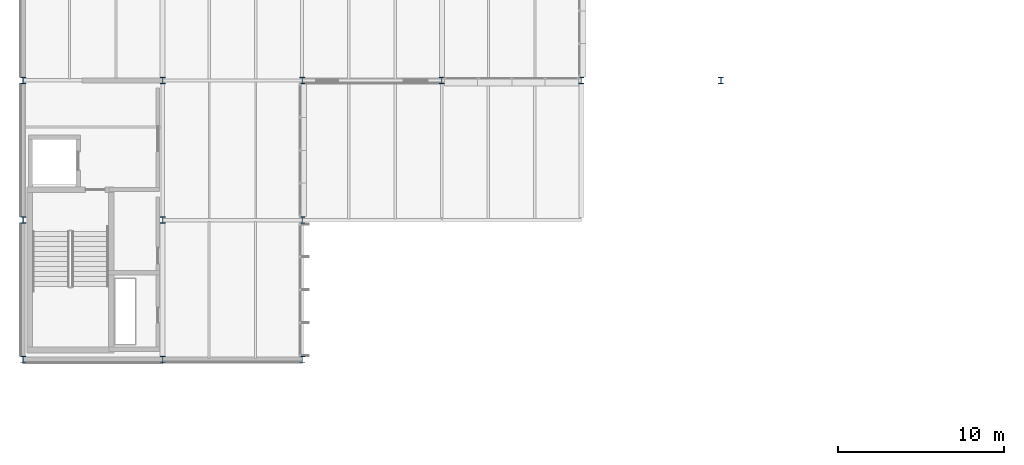
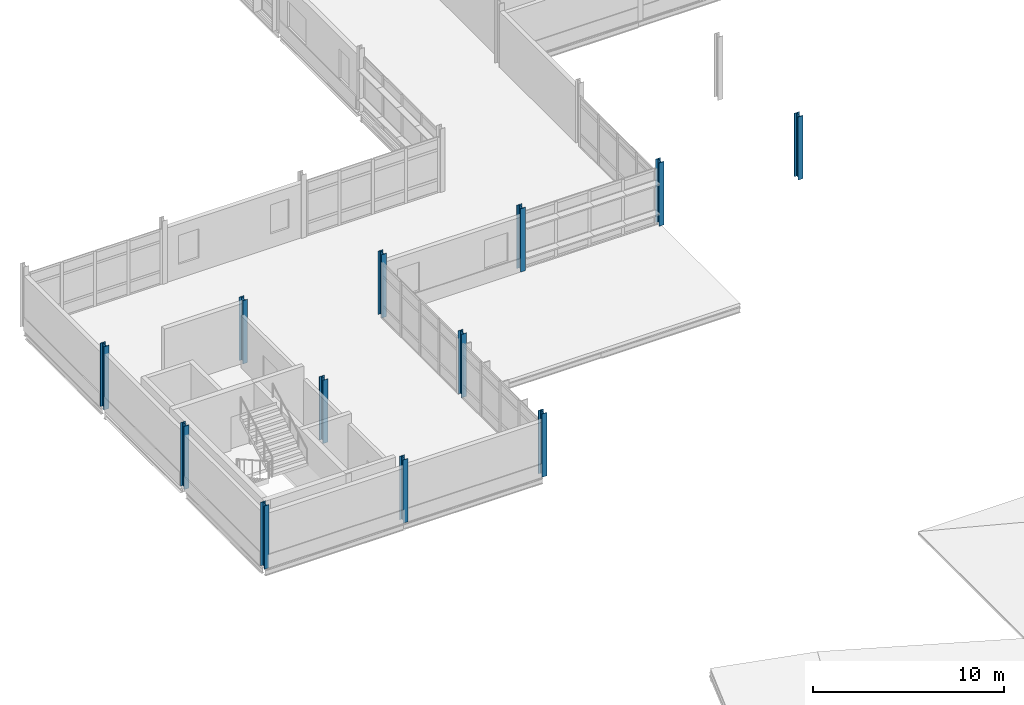
# One storey, part 5 of 151: 12 columns.
"""IFC4 building model written with IfcOpenShell, lengths in metres."""

from ifc_helpers import new_model, si_unit, direction, frame, origin, origin_2d, place, context, subcontext, project, spatial, i_section, extrude, material, material_profile, profile_set, type_object, element, save


model = new_model("IFC4")

# Units and contexts
model_context = context("Model", 3, precision=1e-05, world=origin(), true_north=direction((0.0, 1.0)))
body_context = subcontext(model_context, "Body", "Model", "MODEL_VIEW")
ifc_project = project(units=[si_unit("LENGTHUNIT", "METRE"), si_unit("AREAUNIT", "SQUARE_METRE"), si_unit("VOLUMEUNIT", "CUBIC_METRE"), si_unit("PLANEANGLEUNIT", "RADIAN"), si_unit("MASSUNIT", "GRAM", prefix="KILO")], contexts=[model_context])

# Site, building, storey
site_placement = place(None, origin())
site = spatial("IfcSite", under=ifc_project, at=site_placement, CompositionType="ELEMENT")
building_placement = place(site_placement, origin())
building = spatial("IfcBuilding", under=site, at=building_placement, Name="Mersafa Astral City Hall", CompositionType="ELEMENT")
storey_placement = place(building_placement, frame((0.0, 0.0, 9.89990234375)))
storey = spatial("IfcBuildingStorey", under=building, at=storey_placement, Name="L02", CompositionType="ELEMENT", Elevation=9.89990234375)

# Columns
ifc_material = material(Name="Steel S355", Category="steel")
ifc_material_profile = material_profile(ifc_material, i_section(OverallWidth=0.300048828125, OverallDepth=0.39990234375, WebThickness=0.013427734375, FlangeThickness=0.02392578125, FilletRadius=0.027099609375, at=origin_2d()), Name="HEB 400")
ifc_profile_set = profile_set([ifc_material_profile], Name="Steel S355")
column_type = type_object("IfcColumnType", Name="STR-COL-HEB400", PredefinedType="COLUMN", material=ifc_profile_set)
for number, where, z_axis, x_axis, name in (
    (1, (8.39990234375, 75.60009765625, 0.0), (0.0, 0.0, 1.0), (1.0, 0.0, 0.0), "L02 Structural column G-01-09"),
    (2, (8.39990234375, 84.0, 0.0), (0.0, 0.0, 1.0), (1.0, 0.0, 0.0), "L02 Structural column G-01-10"),
    (3, (8.39990234375, 92.39990234375, 0.0), (0.0, 0.0, 1.0), (1.0, 0.0, 0.0), "L02 Structural column G-01-11"),
    (4, (16.800048828125, 75.60009765625, 0.0), (0.0, 0.0, 1.0), (1.0, 0.0, 0.0), "L02 Structural column G-02-09"),
    (5, (16.800048828125, 84.0, 0.0), (0.0, 0.0, 1.0), (1.0, 0.0, 0.0), "L02 Structural column G-02-10"),
    (6, (16.800048828125, 92.39990234375, 0.0), (0.0, 0.0, 1.0), (1.0, 0.0, 0.0), "L02 Structural column G-02-11"),
    (7, (25.199951171875, 75.60009765625, 0.0), (0.0, 0.0, 1.0), (1.0, 0.0, 0.0), "L02 Structural column G-03-09"),
    (8, (25.199951171875, 84.0, 0.0), (0.0, 0.0, 1.0), (1.0, 0.0, 0.0), "L02 Structural column G-03-10"),
    (9, (25.199951171875, 92.39990234375, 0.0), (0.0, 0.0, 1.0), (1.0, 0.0, 0.0), "L02 Structural column G-03-11"),
    (10, (33.60009765625, 92.39990234375, 0.0), (0.0, 0.0, 1.0), (1.0, 0.0, 0.0), "L02 Structural column G-04-11"),
    (11, (42.0, 92.39990234375, 0.0), (0.0, 0.0, 1.0), (1.0, 0.0, 0.0), "L02 Structural column G-05-11"),
    (12, (50.39990234375, 92.39990234375, 0.0), (0.0, 0.0, 1.0), (1.0, 0.0, 0.0), "L02 Structural column G-06-11"),
):
    element("IfcColumn", number, at=place(storey_placement, frame(where, z_axis=z_axis, x_axis=x_axis)), inside=storey, type_object=column_type, Name=name, PredefinedType="COLUMN", context=body_context, shape_type="SweptSolid", body=[
        extrude(i_section(OverallWidth=0.300048828125, OverallDepth=0.39990234375, WebThickness=0.013427734375, FlangeThickness=0.02392578125, FilletRadius=0.027099609375, at=origin_2d()), origin(), (0.0, 0.0, 1.0), 4.050048828125),
    ])

save(model, "model.ifc")
